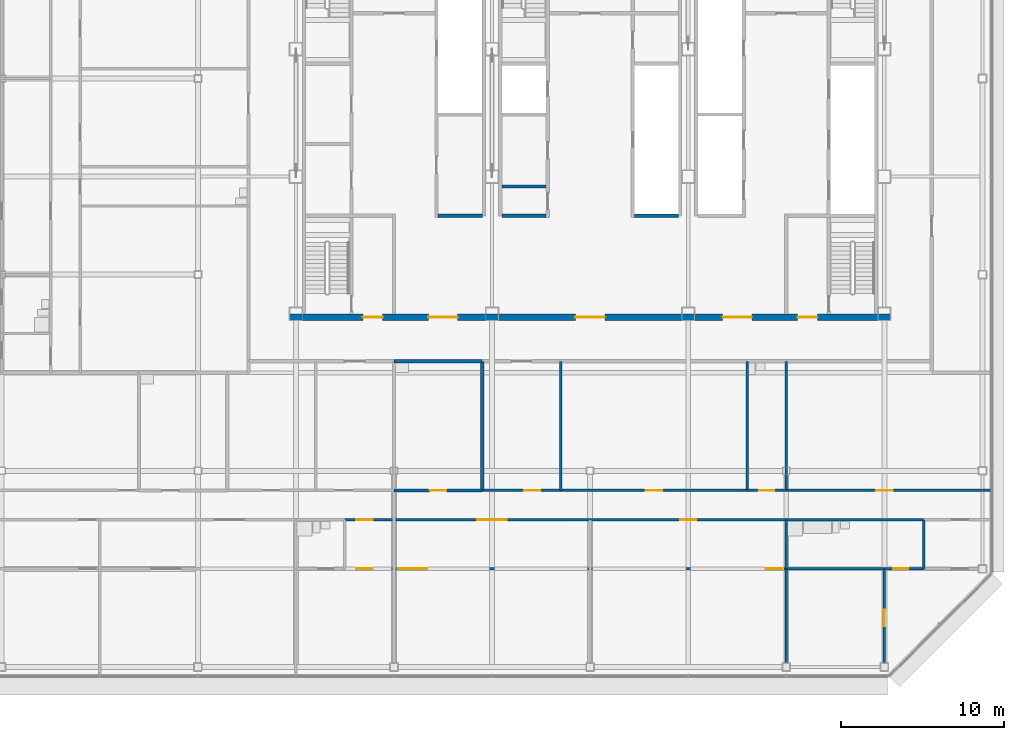
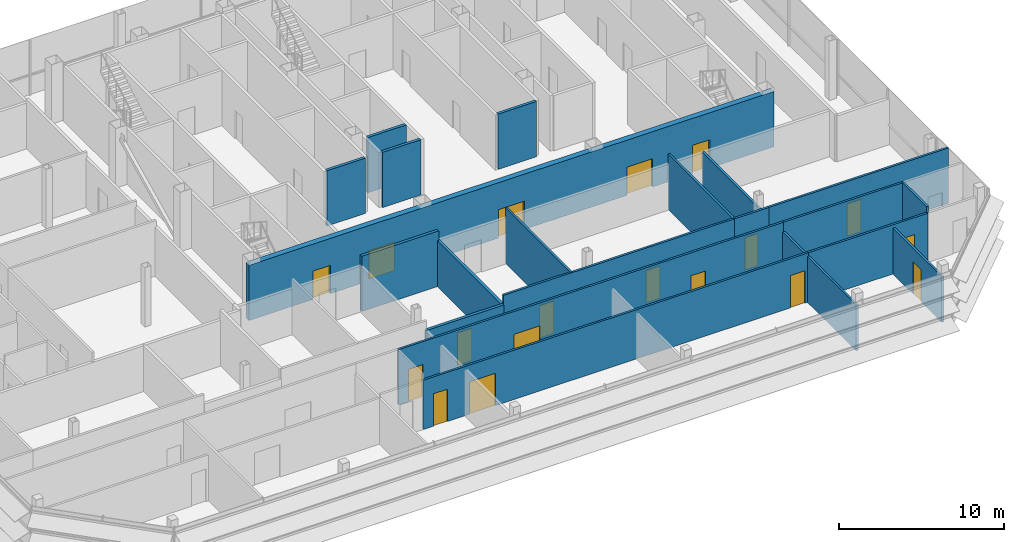
# One storey, part 22 of 29: 22 walls, 18 doors, 18 openings.
"""IFC4 building model written with IfcOpenShell, lengths in metres."""

from ifc_helpers import new_model, si_unit, direction, frame, frame_2d, origin, place, context, subcontext, project, spatial, rectangle, extrude, material, layer, layer_set, type_object, element, fill, save


model = new_model("IFC4")

# Units and contexts
model_context = context("Model", 3, precision=1e-05, world=origin(), true_north=direction((0.0, 1.0)))
body_context = subcontext(model_context, "Body", "Model", "MODEL_VIEW")
ifc_project = project(units=[si_unit("LENGTHUNIT", "METRE"), si_unit("AREAUNIT", "SQUARE_METRE"), si_unit("VOLUMEUNIT", "CUBIC_METRE"), si_unit("PLANEANGLEUNIT", "RADIAN"), si_unit("MASSUNIT", "GRAM", prefix="KILO")], contexts=[model_context])

# Site, building, storey
site_placement = place(None, origin())
site = spatial("IfcSite", under=ifc_project, at=site_placement, CompositionType="ELEMENT")
building_placement = place(site_placement, origin())
building = spatial("IfcBuilding", under=site, at=building_placement, Name="Sorahane Residences", CompositionType="ELEMENT")
storey_placement = place(building_placement, frame((0.0, 0.0, 326.800048828125)))
storey = spatial("IfcBuildingStorey", under=building, at=storey_placement, Name="L78", CompositionType="ELEMENT", Elevation=326.800048828125)

# Wall
ifc_material_1 = material(Name="Concrete blockwork C20 wall", Category="masonry")
ifc_layer_1 = layer(ifc_material_1, 0.199951171875)
ifc_layer_set_1 = layer_set([ifc_layer_1], Name="Kitchen wall 200 EI 180")
wall_type_1 = type_object("IfcWallType", Name="Kitchen wall 200 EI 180", PredefinedType="SOLIDWALL", material=ifc_layer_set_1)
wall_1_placement = place(storey_placement, frame((17.39990234375, 10.800048828125, 0.0), z_axis=(0.0, 0.0, 1.0), x_axis=(0.0, 1.0, 0.0)))
element("IfcWall", 1, at=wall_1_placement, inside=storey, type_object=wall_type_1, Name="L78 kitchen wall", PredefinedType="SOLIDWALL", context=body_context, shape_type="SweptSolid", body=[
    extrude(rectangle(XDim=7.89990234375, YDim=0.199951171875, at=frame_2d((3.949951171875, 0.0))), origin(), (0.0, 0.0, 1.0), 3.39990234375),
])

# Wall, opening, door
wall_2_placement = place(storey_placement, frame((12.0, 10.800048828125, 0.0), z_axis=(0.0, 0.0, 1.0), x_axis=(1.0, 0.0, 0.0)))
wall_2 = element("IfcWall", 2, at=wall_2_placement, inside=storey, type_object=wall_type_1, Name="L78 kitchen wall", PredefinedType="SOLIDWALL", context=body_context, shape_type="SweptSolid", body=[
    extrude(rectangle(XDim=5.39990234375, YDim=0.199951171875, at=frame_2d((2.699951171875, 0.0))), origin(), (0.0, 0.0, 1.0), 3.39990234375),
])
opening_1_placement = place(wall_2_placement, frame((2.199951171875, 0.0, 0.0)))
opening_1 = element("IfcOpeningElement", 3, at=opening_1_placement, cuts=wall_2, Name="Opening L78-14", PredefinedType="OPENING", context=body_context, shape_type="SweptSolid", body=[
    extrude(rectangle(XDim=1.0, YDim=2.39990234375, at=frame_2d((0.5, 1.199951171875))), frame((0.0, 0.10986328125, 0.0), z_axis=(0.0, -1.0, 0.0), x_axis=(1.0, 0.0, 0.0)), (0.0, 0.0, 1.0), 0.219970703125),
])
ifc_material_2 = material(Name="Steel", Category="steel")
door_type_1 = type_object("IfcDoorType", Name="Kitchen door 1000x2400 FD120", OperationType="NOTDEFINED", PredefinedType="DOOR", material=ifc_material_2)
door_1_placement = place(opening_1_placement, origin())
door_1 = element("IfcDoor", 4, at=door_1_placement, inside=storey, type_object=door_type_1, Name="Kitchen door L78-14", OperationType="SINGLE_SWING_LEFT", OverallHeight=2.39990234375, OverallWidth=1.0, PredefinedType="DOOR", context=body_context, shape_type="SweptSolid", body=[
    extrude(rectangle(XDim=1.0, YDim=2.39990234375, at=frame_2d((0.5, 1.199951171875))), frame((0.0, 0.02490234375, 0.0), z_axis=(0.0, -1.0, 0.0), x_axis=(1.0, 0.0, 0.0)), (0.0, 0.0, 1.0), 0.050048828125),
])
fill(opening_1, door_1)

# Walls
wall_3_placement = place(storey_placement, frame((12.0, 18.699951171875, 0.0), z_axis=(0.0, 0.0, 1.0), x_axis=(1.0, 0.0, 0.0)))
element("IfcWall", 5, at=wall_3_placement, inside=storey, type_object=wall_type_1, Name="L78 kitchen wall", PredefinedType="SOLIDWALL", context=body_context, shape_type="SweptSolid", body=[
    extrude(rectangle(XDim=5.39990234375, YDim=0.199951171875, at=frame_2d((2.699951171875, 0.0))), origin(), (0.0, 0.0, 1.0), 4.099853515625),
])
ifc_material_3 = material(Name="Gypsum board partition on steel studs", Category="steel")
ifc_layer_2 = layer(ifc_material_3, 0.14990234375)
ifc_layer_set_2 = layer_set([ifc_layer_2], Name="Partition 150 EI 90")
wall_type_2 = type_object("IfcWallType", Name="Partition 150 EI 90", PredefinedType="PARTITIONING", material=ifc_layer_set_2)
wall_4_placement = place(storey_placement, frame((22.199951171875, 10.800048828125, 0.0), z_axis=(0.0, 0.0, 1.0), x_axis=(0.0, 1.0, 0.0)))
element("IfcWall", 6, at=wall_4_placement, inside=storey, type_object=wall_type_2, Name="L78 partition", PredefinedType="PARTITIONING", context=body_context, shape_type="SweptSolid", body=[
    extrude(rectangle(XDim=7.89990234375, YDim=0.14990234375, at=frame_2d((3.949951171875, 0.0))), origin(), (0.0, 0.0, 1.0), 4.099853515625),
])
wall_5_placement = place(storey_placement, frame((36.0, 0.0, 0.0), z_axis=(0.0, 0.0, 1.0), x_axis=(0.0, 1.0, 0.0)))
element("IfcWall", 7, at=wall_5_placement, inside=storey, type_object=wall_type_2, Name="L78 partition", PredefinedType="PARTITIONING", context=body_context, shape_type="SweptSolid", body=[
    extrude(rectangle(XDim=6.0, YDim=0.14990234375, at=frame_2d((3.0, 0.0))), origin(), (0.0, 0.0, 1.0), 3.39990234375),
])

# Wall, opening, door
wall_6_placement = place(storey_placement, frame((42.0, 0.0, 0.0), z_axis=(0.0, 0.0, 1.0), x_axis=(0.0, 1.0, 0.0)))
wall_6 = element("IfcWall", 8, at=wall_6_placement, inside=storey, type_object=wall_type_2, Name="L78 partition", PredefinedType="PARTITIONING", context=body_context, shape_type="SweptSolid", body=[
    extrude(rectangle(XDim=6.0, YDim=0.14990234375, at=frame_2d((3.0, 0.0))), origin(), (0.0, 0.0, 1.0), 3.39990234375),
])
opening_2_placement = place(wall_6_placement, frame((2.5, 0.0, 0.0)))
opening_2 = element("IfcOpeningElement", 9, at=opening_2_placement, cuts=wall_6, Name="Opening L78-24", PredefinedType="OPENING", context=body_context, shape_type="SweptSolid", body=[
    extrude(rectangle(XDim=1.0, YDim=2.39990234375, at=frame_2d((0.5, 1.199951171875))), frame((0.0, 0.0849609375, 0.0), z_axis=(0.0, -1.0, 0.0), x_axis=(1.0, 0.0, 0.0)), (0.0, 0.0, 1.0), 0.169921875),
])
ifc_material_4 = material(Name="Timber veneered fire door", Category="wood")
door_type_2 = type_object("IfcDoorType", Name="Room door 1000x2400 FD30", OperationType="NOTDEFINED", PredefinedType="DOOR", material=ifc_material_4)
door_2_placement = place(opening_2_placement, origin())
door_2 = element("IfcDoor", 10, at=door_2_placement, inside=storey, type_object=door_type_2, Name="Room door L78-24", OperationType="SINGLE_SWING_RIGHT", OverallHeight=2.39990234375, OverallWidth=1.0, PredefinedType="DOOR", context=body_context, shape_type="SweptSolid", body=[
    extrude(rectangle(XDim=1.0, YDim=2.39990234375, at=frame_2d((0.5, 1.199951171875))), frame((0.0, 0.02490234375, 0.0), z_axis=(0.0, -1.0, 0.0), x_axis=(1.0, 0.0, 0.0)), (0.0, 0.0, 1.0), 0.050048828125),
])
fill(opening_2, door_2)

# Wall, openings, doors
wall_7_placement = place(storey_placement, frame((17.39990234375, 10.800048828125, 0.0), z_axis=(0.0, 0.0, 1.0), x_axis=(1.0, 0.0, 0.0)))
wall_7 = element("IfcWall", 11, at=wall_7_placement, inside=storey, type_object=wall_type_2, Name="L78 partition", PredefinedType="PARTITIONING", context=body_context, shape_type="SweptSolid", body=[
    extrude(rectangle(XDim=16.2001953125, YDim=0.14990234375, at=frame_2d((8.10009765625, 0.0))), origin(), (0.0, 0.0, 1.0), 4.099853515625),
])
opening_3_placement = place(wall_7_placement, frame((2.56005859375, 0.0, 0.0)))
opening_3 = element("IfcOpeningElement", 12, at=opening_3_placement, cuts=wall_7, Name="Opening L78-13", PredefinedType="OPENING", context=body_context, shape_type="SweptSolid", body=[
    extrude(rectangle(XDim=1.0, YDim=2.39990234375, at=frame_2d((0.5, 1.199951171875))), frame((0.0, 0.0849609375, 0.0), z_axis=(0.0, -1.0, 0.0), x_axis=(1.0, 0.0, 0.0)), (0.0, 0.0, 1.0), 0.169921875),
])
opening_4_placement = place(wall_7_placement, frame((10.0, 0.0, 0.0)))
opening_4 = element("IfcOpeningElement", 13, at=opening_4_placement, cuts=wall_7, Name="Opening L78-15", PredefinedType="OPENING", context=body_context, shape_type="SweptSolid", body=[
    extrude(rectangle(XDim=1.0, YDim=2.39990234375, at=frame_2d((0.5, 1.199951171875))), frame((0.0, 0.0849609375, 0.0), z_axis=(0.0, -1.0, 0.0), x_axis=(1.0, 0.0, 0.0)), (0.0, 0.0, 1.0), 0.169921875),
])
door_3_placement = place(opening_3_placement, frame((1.0, 0.0, 0.0), z_axis=(0.0, 0.0, 1.0), x_axis=(-1.0, 0.0, 0.0)))
door_3 = element("IfcDoor", 14, at=door_3_placement, inside=storey, type_object=door_type_2, Name="Room door L78-13", OperationType="SINGLE_SWING_RIGHT", OverallHeight=2.39990234375, OverallWidth=1.0, PredefinedType="DOOR", context=body_context, shape_type="SweptSolid", body=[
    extrude(rectangle(XDim=1.0, YDim=2.39990234375, at=frame_2d((0.5, 1.199951171875))), frame((0.0, 0.02490234375, 0.0), z_axis=(0.0, -1.0, 0.0), x_axis=(1.0, 0.0, 0.0)), (0.0, 0.0, 1.0), 0.050048828125),
])
fill(opening_3, door_3)
door_4_placement = place(opening_4_placement, origin())
door_4 = element("IfcDoor", 15, at=door_4_placement, inside=storey, type_object=door_type_2, Name="Room door L78-15", OperationType="SINGLE_SWING_RIGHT", OverallHeight=2.39990234375, OverallWidth=1.0, PredefinedType="DOOR", context=body_context, shape_type="SweptSolid", body=[
    extrude(rectangle(XDim=1.0, YDim=2.39990234375, at=frame_2d((0.5, 1.199951171875))), frame((0.0, 0.02490234375, 0.0), z_axis=(0.0, -1.0, 0.0), x_axis=(1.0, 0.0, 0.0)), (0.0, 0.0, 1.0), 0.050048828125),
])
fill(opening_4, door_4)

# Wall, opening, door
wall_8_placement = place(storey_placement, frame((36.0, 10.800048828125, 0.0), z_axis=(0.0, 0.0, 1.0), x_axis=(1.0, 0.0, 0.0)))
wall_8 = element("IfcWall", 16, at=wall_8_placement, inside=storey, type_object=wall_type_2, Name="L78 partition", PredefinedType="PARTITIONING", context=body_context, shape_type="SweptSolid", body=[
    extrude(rectangle(XDim=12.60009765625, YDim=0.14990234375, at=frame_2d((6.300048828125, 0.0))), origin(), (0.0, 0.0, 1.0), 4.099853515625),
])
opening_5_placement = place(wall_8_placement, frame((5.5, 0.0, 0.0)))
opening_5 = element("IfcOpeningElement", 17, at=opening_5_placement, cuts=wall_8, Name="Opening L78-17", PredefinedType="OPENING", context=body_context, shape_type="SweptSolid", body=[
    extrude(rectangle(XDim=1.0, YDim=2.39990234375, at=frame_2d((0.5, 1.199951171875))), frame((0.0, 0.0849609375, 0.0), z_axis=(0.0, -1.0, 0.0), x_axis=(1.0, 0.0, 0.0)), (0.0, 0.0, 1.0), 0.169921875),
])
door_5_placement = place(opening_5_placement, origin())
door_5 = element("IfcDoor", 18, at=door_5_placement, inside=storey, type_object=door_type_2, Name="Room door L78-17", OperationType="SINGLE_SWING_LEFT", OverallHeight=2.39990234375, OverallWidth=1.0, PredefinedType="DOOR", context=body_context, shape_type="SweptSolid", body=[
    extrude(rectangle(XDim=1.0, YDim=2.39990234375, at=frame_2d((0.5, 1.199951171875))), frame((0.0, 0.02490234375, 0.0), z_axis=(0.0, -1.0, 0.0), x_axis=(1.0, 0.0, 0.0)), (0.0, 0.0, 1.0), 0.050048828125),
])
fill(opening_5, door_5)

# Wall, openings, doors
wall_9_placement = place(storey_placement, frame((9.0, 6.0, 0.0), z_axis=(0.0, 0.0, 1.0), x_axis=(1.0, 0.0, 0.0)))
wall_9 = element("IfcWall", 19, at=wall_9_placement, inside=storey, type_object=wall_type_2, Name="L78 partition", PredefinedType="PARTITIONING", context=body_context, shape_type="SweptSolid", body=[
    extrude(rectangle(XDim=27.0, YDim=0.14990234375, at=frame_2d((13.5, 0.0))), origin(), (0.0, 0.0, 1.0), 3.64990234375),
])
opening_6_placement = place(wall_9_placement, frame((0.699951171875, 0.0, 0.0)))
opening_6 = element("IfcOpeningElement", 20, at=opening_6_placement, cuts=wall_9, Name="Opening L78-11", PredefinedType="OPENING", context=body_context, shape_type="SweptSolid", body=[
    extrude(rectangle(XDim=1.0, YDim=2.39990234375, at=frame_2d((0.5, 1.199951171875))), frame((0.0, 0.0849609375, 0.0), z_axis=(0.0, -1.0, 0.0), x_axis=(1.0, 0.0, 0.0)), (0.0, 0.0, 1.0), 0.169921875),
])
opening_7_placement = place(wall_9_placement, frame((3.25, 0.0, 0.0)))
opening_7 = element("IfcOpeningElement", 21, at=opening_7_placement, cuts=wall_9, Name="Opening L78-21", PredefinedType="OPENING", context=body_context, shape_type="SweptSolid", body=[
    extrude(rectangle(XDim=1.800048828125, YDim=2.39990234375, at=frame_2d((0.89990234375, 1.199951171875))), frame((0.0, 0.0849609375, 0.0), z_axis=(0.0, -1.0, 0.0), x_axis=(1.0, 0.0, 0.0)), (0.0, 0.0, 1.0), 0.169921875),
])
opening_8_placement = place(wall_9_placement, frame((25.75, 0.0, 0.0)))
opening_8 = element("IfcOpeningElement", 22, at=opening_8_placement, cuts=wall_9, Name="Opening L78-22", PredefinedType="OPENING", context=body_context, shape_type="SweptSolid", body=[
    extrude(rectangle(XDim=1.0, YDim=2.39990234375, at=frame_2d((0.5, 1.199951171875))), frame((0.0, 0.0849609375, 0.0), z_axis=(0.0, -1.0, 0.0), x_axis=(1.0, 0.0, 0.0)), (0.0, 0.0, 1.0), 0.169921875),
])
ifc_material_5 = material(Name="Timber veneered fire door", Category="wood")
door_type_3 = type_object("IfcDoorType", Name="Double door 1800x2400 FD30", OperationType="NOTDEFINED", PredefinedType="DOOR", material=ifc_material_5)
door_6_placement = place(opening_7_placement, frame((1.800048828125, 0.0, 0.0), z_axis=(0.0, 0.0, 1.0), x_axis=(-1.0, 0.0, 0.0)))
door_6 = element("IfcDoor", 23, at=door_6_placement, inside=storey, type_object=door_type_3, Name="Double door L78-21", OperationType="SINGLE_SWING_RIGHT", OverallHeight=2.39990234375, OverallWidth=1.800048828125, PredefinedType="DOOR", context=body_context, shape_type="SweptSolid", body=[
    extrude(rectangle(XDim=1.800048828125, YDim=2.39990234375, at=frame_2d((0.89990234375, 1.199951171875))), frame((0.0, 0.02490234375, 0.0), z_axis=(0.0, -1.0, 0.0), x_axis=(1.0, 0.0, 0.0)), (0.0, 0.0, 1.0), 0.050048828125),
])
fill(opening_7, door_6)
door_7_placement = place(opening_6_placement, frame((1.0, 0.0, 0.0), z_axis=(0.0, 0.0, 1.0), x_axis=(-1.0, 0.0, 0.0)))
door_7 = element("IfcDoor", 24, at=door_7_placement, inside=storey, type_object=door_type_2, Name="Room door L78-11", OperationType="SINGLE_SWING_RIGHT", OverallHeight=2.39990234375, OverallWidth=1.0, PredefinedType="DOOR", context=body_context, shape_type="SweptSolid", body=[
    extrude(rectangle(XDim=1.0, YDim=2.39990234375, at=frame_2d((0.5, 1.199951171875))), frame((0.0, 0.02490234375, 0.0), z_axis=(0.0, -1.0, 0.0), x_axis=(1.0, 0.0, 0.0)), (0.0, 0.0, 1.0), 0.050048828125),
])
fill(opening_6, door_7)
door_8_placement = place(opening_8_placement, frame((1.0, 0.0, 0.0), z_axis=(0.0, 0.0, 1.0), x_axis=(-1.0, 0.0, 0.0)))
door_8 = element("IfcDoor", 25, at=door_8_placement, inside=storey, type_object=door_type_2, Name="Room door L78-22", OperationType="SINGLE_SWING_RIGHT", OverallHeight=2.39990234375, OverallWidth=1.0, PredefinedType="DOOR", context=body_context, shape_type="SweptSolid", body=[
    extrude(rectangle(XDim=1.0, YDim=2.39990234375, at=frame_2d((0.5, 1.199951171875))), frame((0.0, 0.02490234375, 0.0), z_axis=(0.0, -1.0, 0.0), x_axis=(1.0, 0.0, 0.0)), (0.0, 0.0, 1.0), 0.050048828125),
])
fill(opening_8, door_8)

wall_10_placement = place(storey_placement, frame((9.0, 9.0, 0.0), z_axis=(0.0, 0.0, 1.0), x_axis=(1.0, 0.0, 0.0)))
wall_10 = element("IfcWall", 26, at=wall_10_placement, inside=storey, type_object=wall_type_2, Name="L78 partition", PredefinedType="PARTITIONING", context=body_context, shape_type="SweptSolid", body=[
    extrude(rectangle(XDim=27.0, YDim=0.14990234375, at=frame_2d((13.5, 0.0))), origin(), (0.0, 0.0, 1.0), 4.099853515625),
])
opening_9_placement = place(wall_10_placement, frame((0.699951171875, 0.0, 0.0)))
opening_9 = element("IfcOpeningElement", 27, at=opening_9_placement, cuts=wall_10, Name="Opening L78-08", PredefinedType="OPENING", context=body_context, shape_type="SweptSolid", body=[
    extrude(rectangle(XDim=1.0, YDim=2.39990234375, at=frame_2d((0.5, 1.199951171875))), frame((0.0, 0.0849609375, 0.0), z_axis=(0.0, -1.0, 0.0), x_axis=(1.0, 0.0, 0.0)), (0.0, 0.0, 1.0), 0.169921875),
])
opening_10_placement = place(wall_10_placement, frame((8.10009765625, 0.0, 0.0)))
opening_10 = element("IfcOpeningElement", 28, at=opening_10_placement, cuts=wall_10, Name="Opening L78-18", PredefinedType="OPENING", context=body_context, shape_type="SweptSolid", body=[
    extrude(rectangle(XDim=1.800048828125, YDim=2.39990234375, at=frame_2d((0.89990234375, 1.199951171875))), frame((0.0, 0.0849609375, 0.0), z_axis=(0.0, -1.0, 0.0), x_axis=(1.0, 0.0, 0.0)), (0.0, 0.0, 1.0), 0.169921875),
])
opening_11_placement = place(wall_10_placement, frame((20.5, 0.0, 0.0)))
opening_11 = element("IfcOpeningElement", 29, at=opening_11_placement, cuts=wall_10, Name="Opening L78-19", PredefinedType="OPENING", context=body_context, shape_type="SweptSolid", body=[
    extrude(rectangle(XDim=1.0, YDim=2.39990234375, at=frame_2d((0.5, 1.199951171875))), frame((0.0, 0.0849609375, 0.0), z_axis=(0.0, -1.0, 0.0), x_axis=(1.0, 0.0, 0.0)), (0.0, 0.0, 1.0), 0.169921875),
])
door_9_placement = place(opening_10_placement, frame((1.800048828125, 0.0, 0.0), z_axis=(0.0, 0.0, 1.0), x_axis=(-1.0, 0.0, 0.0)))
door_9 = element("IfcDoor", 30, at=door_9_placement, inside=storey, type_object=door_type_3, Name="Double door L78-18", OperationType="SINGLE_SWING_RIGHT", OverallHeight=2.39990234375, OverallWidth=1.800048828125, PredefinedType="DOOR", context=body_context, shape_type="SweptSolid", body=[
    extrude(rectangle(XDim=1.800048828125, YDim=2.39990234375, at=frame_2d((0.89990234375, 1.199951171875))), frame((0.0, 0.02490234375, 0.0), z_axis=(0.0, -1.0, 0.0), x_axis=(1.0, 0.0, 0.0)), (0.0, 0.0, 1.0), 0.050048828125),
])
fill(opening_10, door_9)
door_10_placement = place(opening_9_placement, frame((1.0, 0.0, 0.0), z_axis=(0.0, 0.0, 1.0), x_axis=(-1.0, 0.0, 0.0)))
door_10 = element("IfcDoor", 31, at=door_10_placement, inside=storey, type_object=door_type_2, Name="Room door L78-08", OperationType="SINGLE_SWING_RIGHT", OverallHeight=2.39990234375, OverallWidth=1.0, PredefinedType="DOOR", context=body_context, shape_type="SweptSolid", body=[
    extrude(rectangle(XDim=1.0, YDim=2.39990234375, at=frame_2d((0.5, 1.199951171875))), frame((0.0, 0.02490234375, 0.0), z_axis=(0.0, -1.0, 0.0), x_axis=(1.0, 0.0, 0.0)), (0.0, 0.0, 1.0), 0.050048828125),
])
fill(opening_9, door_10)
door_11_placement = place(opening_11_placement, frame((1.0, 0.0, 0.0), z_axis=(0.0, 0.0, 1.0), x_axis=(-1.0, 0.0, 0.0)))
door_11 = element("IfcDoor", 32, at=door_11_placement, inside=storey, type_object=door_type_2, Name="Room door L78-19", OperationType="SINGLE_SWING_RIGHT", OverallHeight=2.39990234375, OverallWidth=1.0, PredefinedType="DOOR", context=body_context, shape_type="SweptSolid", body=[
    extrude(rectangle(XDim=1.0, YDim=2.39990234375, at=frame_2d((0.5, 1.199951171875))), frame((0.0, 0.02490234375, 0.0), z_axis=(0.0, -1.0, 0.0), x_axis=(1.0, 0.0, 0.0)), (0.0, 0.0, 1.0), 0.050048828125),
])
fill(opening_11, door_11)

# Walls
ifc_material_6 = material(Name="Concrete C30", Category="concrete")
ifc_layer_3 = layer(ifc_material_6, 0.199951171875)
ifc_layer_set_3 = layer_set([ifc_layer_3], Name="Riser shaft wall 200 EI 120")
wall_type_3 = type_object("IfcWallType", Name="Riser shaft wall 200 EI 120", PredefinedType="SOLIDWALL", material=ifc_layer_set_3)
wall_11_placement = place(storey_placement, frame((26.699951171875, 27.60009765625, 0.0), z_axis=(0.0, 0.0, 1.0), x_axis=(1.0, 0.0, 0.0)))
element("IfcWall", 33, at=wall_11_placement, inside=storey, type_object=wall_type_3, Name="L78 riser wall", PredefinedType="SOLIDWALL", context=body_context, shape_type="SweptSolid", body=[
    extrude(rectangle(XDim=2.699951171875, YDim=0.199951171875, at=frame_2d((1.35009765625, 0.0))), origin(), (0.0, 0.0, 1.0), 4.099853515625),
])
ifc_material_7 = material(Name="Concrete C30", Category="concrete")
ifc_layer_4 = layer(ifc_material_7, 0.199951171875)
ifc_layer_set_4 = layer_set([ifc_layer_4], Name="Service room partition 200 EI 60")
wall_type_4 = type_object("IfcWallType", Name="Service room partition 200 EI 60", PredefinedType="PARTITIONING", material=ifc_layer_set_4)
for number, where, z_axis, x_axis, name in (
    (34, (14.699951171875, 27.60009765625, 0.0), (0.0, 0.0, 1.0), (1.0, 0.0, 0.0), "L78 service room wall"),
    (35, (18.60009765625, 27.60009765625, 0.0), (0.0, 0.0, 1.0), (1.0, 0.0, 0.0), "L78 service room wall"),
    (36, (18.60009765625, 29.39990234375, 0.0), (0.0, 0.0, 1.0), (1.0, 0.0, 0.0), "L78 service room wall"),
):
    element("IfcWall", number, at=place(storey_placement, frame(where, z_axis=z_axis, x_axis=x_axis)), inside=storey, type_object=wall_type_4, Name=name, PredefinedType="PARTITIONING", context=body_context, shape_type="SweptSolid", body=[
        extrude(rectangle(XDim=2.699951171875, YDim=0.199951171875, at=frame_2d((1.35009765625, 0.0))), origin(), (0.0, 0.0, 1.0), 4.099853515625),
    ])

# Wall, openings, doors
ifc_material_8 = material(Name="Concrete C30", Category="concrete")
ifc_layer_5 = layer(ifc_material_8, 0.39990234375)
ifc_layer_set_5 = layer_set([ifc_layer_5], Name="Waiting hall wall 400 EI 120")
wall_type_5 = type_object("IfcWallType", Name="Waiting hall wall 400 EI 120", PredefinedType="SOLIDWALL", material=ifc_layer_set_5)
wall_12_placement = place(storey_placement, frame((5.60009765625, 21.39990234375, 0.0), z_axis=(0.0, 0.0, 1.0), x_axis=(1.0, 0.0, 0.0)))
wall_12 = element("IfcWall", 37, at=wall_12_placement, inside=storey, type_object=wall_type_5, Name="L78 waiting hall wall", PredefinedType="SOLIDWALL", context=body_context, shape_type="SweptSolid", body=[
    extrude(rectangle(XDim=36.7998046875, YDim=0.39990234375, at=frame_2d((18.39990234375, 0.0))), origin(), (0.0, 0.0, 1.0), 4.099853515625),
])
opening_12_placement = place(wall_12_placement, frame((8.5, 0.0, 0.0)))
opening_12 = element("IfcOpeningElement", 38, at=opening_12_placement, cuts=wall_12, Name="Opening L78-C01", PredefinedType="OPENING", context=body_context, shape_type="SweptSolid", body=[
    extrude(rectangle(XDim=1.800048828125, YDim=2.10009765625, at=frame_2d((0.89990234375, 1.050048828125))), frame((0.0, 0.2099609375, 0.0), z_axis=(0.0, -1.0, 0.0), x_axis=(1.0, 0.0, 0.0)), (0.0, 0.0, 1.0), 0.419921875),
])
opening_13_placement = place(wall_12_placement, frame((17.5, 0.0, 0.0)))
opening_13 = element("IfcOpeningElement", 39, at=opening_13_placement, cuts=wall_12, Name="Opening L78-C02", PredefinedType="OPENING", context=body_context, shape_type="SweptSolid", body=[
    extrude(rectangle(XDim=1.800048828125, YDim=2.10009765625, at=frame_2d((0.89990234375, 1.050048828125))), frame((0.0, 0.2099609375, 0.0), z_axis=(0.0, -1.0, 0.0), x_axis=(1.0, 0.0, 0.0)), (0.0, 0.0, 1.0), 0.419921875),
])
opening_14_placement = place(wall_12_placement, frame((26.5, 0.0, 0.0)))
opening_14 = element("IfcOpeningElement", 40, at=opening_14_placement, cuts=wall_12, Name="Opening L78-C03", PredefinedType="OPENING", context=body_context, shape_type="SweptSolid", body=[
    extrude(rectangle(XDim=1.800048828125, YDim=2.10009765625, at=frame_2d((0.89990234375, 1.050048828125))), frame((0.0, 0.2099609375, 0.0), z_axis=(0.0, -1.0, 0.0), x_axis=(1.0, 0.0, 0.0)), (0.0, 0.0, 1.0), 0.419921875),
])
opening_15_placement = place(wall_12_placement, frame((4.5, 0.0, 0.0)))
opening_15 = element("IfcOpeningElement", 41, at=opening_15_placement, cuts=wall_12, Name="Opening L78-C04", PredefinedType="OPENING", context=body_context, shape_type="SweptSolid", body=[
    extrude(rectangle(XDim=1.199951171875, YDim=2.10009765625, at=frame_2d((0.60009765625, 1.050048828125))), frame((0.0, 0.2099609375, 0.0), z_axis=(0.0, -1.0, 0.0), x_axis=(1.0, 0.0, 0.0)), (0.0, 0.0, 1.0), 0.419921875),
])
opening_16_placement = place(wall_12_placement, frame((31.10009765625, 0.0, 0.0)))
opening_16 = element("IfcOpeningElement", 42, at=opening_16_placement, cuts=wall_12, Name="Opening L78-C05", PredefinedType="OPENING", context=body_context, shape_type="SweptSolid", body=[
    extrude(rectangle(XDim=1.199951171875, YDim=2.10009765625, at=frame_2d((0.60009765625, 1.050048828125))), frame((0.0, 0.2099609375, 0.0), z_axis=(0.0, -1.0, 0.0), x_axis=(1.0, 0.0, 0.0)), (0.0, 0.0, 1.0), 0.419921875),
])
ifc_material_9 = material(Name="Steel", Category="steel")
door_type_4 = type_object("IfcDoorType", Name="Stair front room door 1200x2100 FD120", OperationType="NOTDEFINED", PredefinedType="DOOR", material=ifc_material_9)
door_12_placement = place(opening_15_placement, frame((1.199951171875, 0.0, 0.0), z_axis=(0.0, 0.0, 1.0), x_axis=(-1.0, 0.0, 0.0)))
door_12 = element("IfcDoor", 43, at=door_12_placement, inside=storey, type_object=door_type_4, Name="Stair front room door Stair S4 front room L78", OperationType="SINGLE_SWING_LEFT", OverallHeight=2.10009765625, OverallWidth=1.199951171875, PredefinedType="DOOR", context=body_context, shape_type="SweptSolid", body=[
    extrude(rectangle(XDim=1.199951171875, YDim=2.10009765625, at=frame_2d((0.60009765625, 1.050048828125))), frame((0.0, 0.02490234375, 0.0), z_axis=(0.0, -1.0, 0.0), x_axis=(1.0, 0.0, 0.0)), (0.0, 0.0, 1.0), 0.050048828125),
])
fill(opening_15, door_12)
door_13_placement = place(opening_16_placement, frame((1.199951171875, 0.0, 0.0), z_axis=(0.0, 0.0, 1.0), x_axis=(-1.0, 0.0, 0.0)))
door_13 = element("IfcDoor", 44, at=door_13_placement, inside=storey, type_object=door_type_4, Name="Stair front room door Stair S5 front room L78", OperationType="SINGLE_SWING_LEFT", OverallHeight=2.10009765625, OverallWidth=1.199951171875, PredefinedType="DOOR", context=body_context, shape_type="SweptSolid", body=[
    extrude(rectangle(XDim=1.199951171875, YDim=2.10009765625, at=frame_2d((0.60009765625, 1.050048828125))), frame((0.0, 0.02490234375, 0.0), z_axis=(0.0, -1.0, 0.0), x_axis=(1.0, 0.0, 0.0)), (0.0, 0.0, 1.0), 0.050048828125),
])
fill(opening_16, door_13)
ifc_material_10 = material(Name="Steel", Category="steel")
door_type_5 = type_object("IfcDoorType", Name="Waiting hall door 1800x2100 FD60", OperationType="NOTDEFINED", PredefinedType="DOOR", material=ifc_material_10)
door_14_placement = place(opening_12_placement, frame((1.800048828125, 0.0, 0.0), z_axis=(0.0, 0.0, 1.0), x_axis=(-1.0, 0.0, 0.0)))
door_14 = element("IfcDoor", 45, at=door_14_placement, inside=storey, type_object=door_type_5, Name="Waiting hall door Residents' waiting hall L78", OperationType="SINGLE_SWING_LEFT", OverallHeight=2.10009765625, OverallWidth=1.800048828125, PredefinedType="DOOR", context=body_context, shape_type="SweptSolid", body=[
    extrude(rectangle(XDim=1.800048828125, YDim=2.10009765625, at=frame_2d((0.89990234375, 1.050048828125))), frame((0.0, 0.02490234375, 0.0), z_axis=(0.0, -1.0, 0.0), x_axis=(1.0, 0.0, 0.0)), (0.0, 0.0, 1.0), 0.050048828125),
])
fill(opening_12, door_14)
door_15_placement = place(opening_13_placement, frame((1.800048828125, 0.0, 0.0), z_axis=(0.0, 0.0, 1.0), x_axis=(-1.0, 0.0, 0.0)))
door_15 = element("IfcDoor", 46, at=door_15_placement, inside=storey, type_object=door_type_5, Name="Waiting hall door Residents' waiting hall L78", OperationType="SINGLE_SWING_LEFT", OverallHeight=2.10009765625, OverallWidth=1.800048828125, PredefinedType="DOOR", context=body_context, shape_type="SweptSolid", body=[
    extrude(rectangle(XDim=1.800048828125, YDim=2.10009765625, at=frame_2d((0.89990234375, 1.050048828125))), frame((0.0, 0.02490234375, 0.0), z_axis=(0.0, -1.0, 0.0), x_axis=(1.0, 0.0, 0.0)), (0.0, 0.0, 1.0), 0.050048828125),
])
fill(opening_13, door_15)
door_16_placement = place(opening_14_placement, frame((1.800048828125, 0.0, 0.0), z_axis=(0.0, 0.0, 1.0), x_axis=(-1.0, 0.0, 0.0)))
door_16 = element("IfcDoor", 47, at=door_16_placement, inside=storey, type_object=door_type_5, Name="Waiting hall door Residents' waiting hall L78", OperationType="SINGLE_SWING_LEFT", OverallHeight=2.10009765625, OverallWidth=1.800048828125, PredefinedType="DOOR", context=body_context, shape_type="SweptSolid", body=[
    extrude(rectangle(XDim=1.800048828125, YDim=2.10009765625, at=frame_2d((0.89990234375, 1.050048828125))), frame((0.0, 0.02490234375, 0.0), z_axis=(0.0, -1.0, 0.0), x_axis=(1.0, 0.0, 0.0)), (0.0, 0.0, 1.0), 0.050048828125),
])
fill(opening_14, door_16)

# Walls
ifc_material_11 = material(Name="Gypsum board partition on steel studs", Category="steel")
ifc_layer_6 = layer(ifc_material_11, 0.14990234375)
ifc_layer_set_6 = layer_set([ifc_layer_6], Name="Wet wall 150 EI 90")
wall_type_6 = type_object("IfcWallType", Name="Wet wall 150 EI 90", PredefinedType="PARTITIONING", material=ifc_layer_set_6)
wall_13_placement = place(storey_placement, frame((33.60009765625, 10.800048828125, 0.0), z_axis=(0.0, 0.0, 1.0), x_axis=(0.0, 1.0, 0.0)))
element("IfcWall", 48, at=wall_13_placement, inside=storey, type_object=wall_type_6, Name="L78 wet wall", PredefinedType="PARTITIONING", context=body_context, shape_type="SweptSolid", body=[
    extrude(rectangle(XDim=7.89990234375, YDim=0.14990234375, at=frame_2d((3.949951171875, 0.0))), origin(), (0.0, 0.0, 1.0), 4.099853515625),
])
wall_14_placement = place(storey_placement, frame((36.0, 6.0, 0.0), z_axis=(0.0, 0.0, 1.0), x_axis=(0.0, 1.0, 0.0)))
element("IfcWall", 49, at=wall_14_placement, inside=storey, type_object=wall_type_6, Name="L78 wet wall", PredefinedType="PARTITIONING", context=body_context, shape_type="SweptSolid", body=[
    extrude(rectangle(XDim=3.0, YDim=0.14990234375, at=frame_2d((1.5, 0.0))), origin(), (0.0, 0.0, 1.0), 3.39990234375),
])
wall_15_placement = place(storey_placement, frame((36.0, 10.800048828125, 0.0), z_axis=(0.0, 0.0, 1.0), x_axis=(0.0, 1.0, 0.0)))
element("IfcWall", 50, at=wall_15_placement, inside=storey, type_object=wall_type_6, Name="L78 wet wall", PredefinedType="PARTITIONING", context=body_context, shape_type="SweptSolid", body=[
    extrude(rectangle(XDim=7.89990234375, YDim=0.14990234375, at=frame_2d((3.949951171875, 0.0))), origin(), (0.0, 0.0, 1.0), 3.39990234375),
])
wall_16_placement = place(storey_placement, frame((44.39990234375, 6.0, 0.0), z_axis=(0.0, 0.0, 1.0), x_axis=(0.0, 1.0, 0.0)))
element("IfcWall", 51, at=wall_16_placement, inside=storey, type_object=wall_type_6, Name="L78 wet wall", PredefinedType="PARTITIONING", context=body_context, shape_type="SweptSolid", body=[
    extrude(rectangle(XDim=3.0, YDim=0.14990234375, at=frame_2d((1.5, 0.0))), origin(), (0.0, 0.0, 1.0), 4.099853515625),
])

# Wall, opening, door
wall_17_placement = place(storey_placement, frame((33.60009765625, 10.800048828125, 0.0), z_axis=(0.0, 0.0, 1.0), x_axis=(1.0, 0.0, 0.0)))
wall_17 = element("IfcWall", 52, at=wall_17_placement, inside=storey, type_object=wall_type_6, Name="L78 wet wall", PredefinedType="PARTITIONING", context=body_context, shape_type="SweptSolid", body=[
    extrude(rectangle(XDim=2.39990234375, YDim=0.14990234375, at=frame_2d((1.199951171875, 0.0))), origin(), (0.0, 0.0, 1.0), 4.099853515625),
])
opening_17_placement = place(wall_17_placement, frame((0.75, 0.0, 0.0)))
opening_17 = element("IfcOpeningElement", 53, at=opening_17_placement, cuts=wall_17, Name="Opening L78-16", PredefinedType="OPENING", context=body_context, shape_type="SweptSolid", body=[
    extrude(rectangle(XDim=0.89990234375, YDim=2.39990234375, at=frame_2d((0.449951171875, 1.199951171875))), frame((0.0, 0.0849609375, 0.0), z_axis=(0.0, -1.0, 0.0), x_axis=(1.0, 0.0, 0.0)), (0.0, 0.0, 1.0), 0.169921875),
])
ifc_material_12 = material(Name="Timber veneered fire door", Category="wood")
door_type_6 = type_object("IfcDoorType", Name="Bathroom door 900x2400 FD30", OperationType="NOTDEFINED", PredefinedType="DOOR", material=ifc_material_12)
door_17_placement = place(opening_17_placement, frame((0.89990234375, 0.0, 0.0), z_axis=(0.0, 0.0, 1.0), x_axis=(-1.0, 0.0, 0.0)))
door_17 = element("IfcDoor", 54, at=door_17_placement, inside=storey, type_object=door_type_6, Name="Bathroom door L78-16", OperationType="SINGLE_SWING_RIGHT", OverallHeight=2.39990234375, OverallWidth=0.89990234375, PredefinedType="DOOR", context=body_context, shape_type="SweptSolid", body=[
    extrude(rectangle(XDim=0.89990234375, YDim=2.39990234375, at=frame_2d((0.449951171875, 1.199951171875))), frame((0.0, 0.02490234375, 0.0), z_axis=(0.0, -1.0, 0.0), x_axis=(1.0, 0.0, 0.0)), (0.0, 0.0, 1.0), 0.050048828125),
])
fill(opening_17, door_17)

wall_18_placement = place(storey_placement, frame((36.0, 6.0, 0.0), z_axis=(0.0, 0.0, 1.0), x_axis=(1.0, 0.0, 0.0)))
wall_18 = element("IfcWall", 55, at=wall_18_placement, inside=storey, type_object=wall_type_6, Name="L78 wet wall", PredefinedType="PARTITIONING", context=body_context, shape_type="SweptSolid", body=[
    extrude(rectangle(XDim=8.39990234375, YDim=0.14990234375, at=frame_2d((4.199951171875, 0.0))), origin(), (0.0, 0.0, 1.0), 3.64990234375),
])
opening_18_placement = place(wall_18_placement, frame((6.550048828125, 0.0, 0.0)))
opening_18 = element("IfcOpeningElement", 56, at=opening_18_placement, cuts=wall_18, Name="Opening L78-25", PredefinedType="OPENING", context=body_context, shape_type="SweptSolid", body=[
    extrude(rectangle(XDim=0.89990234375, YDim=2.39990234375, at=frame_2d((0.449951171875, 1.199951171875))), frame((0.0, 0.0849609375, 0.0), z_axis=(0.0, -1.0, 0.0), x_axis=(1.0, 0.0, 0.0)), (0.0, 0.0, 1.0), 0.169921875),
])
door_18_placement = place(opening_18_placement, frame((0.89990234375, 0.0, 0.0), z_axis=(0.0, 0.0, 1.0), x_axis=(-1.0, 0.0, 0.0)))
door_18 = element("IfcDoor", 57, at=door_18_placement, inside=storey, type_object=door_type_6, Name="Bathroom door L78-25", OperationType="SINGLE_SWING_RIGHT", OverallHeight=2.39990234375, OverallWidth=0.89990234375, PredefinedType="DOOR", context=body_context, shape_type="SweptSolid", body=[
    extrude(rectangle(XDim=0.89990234375, YDim=2.39990234375, at=frame_2d((0.449951171875, 1.199951171875))), frame((0.0, 0.02490234375, 0.0), z_axis=(0.0, -1.0, 0.0), x_axis=(1.0, 0.0, 0.0)), (0.0, 0.0, 1.0), 0.050048828125),
])
fill(opening_18, door_18)

# Wall
wall_19_placement = place(storey_placement, frame((36.0, 9.0, 0.0), z_axis=(0.0, 0.0, 1.0), x_axis=(1.0, 0.0, 0.0)))
element("IfcWall", 58, at=wall_19_placement, inside=storey, type_object=wall_type_6, Name="L78 wet wall", PredefinedType="PARTITIONING", context=body_context, shape_type="SweptSolid", body=[
    extrude(rectangle(XDim=8.39990234375, YDim=0.14990234375, at=frame_2d((4.199951171875, 0.0))), origin(), (0.0, 0.0, 1.0), 4.099853515625),
])

save(model, "model.ifc")
